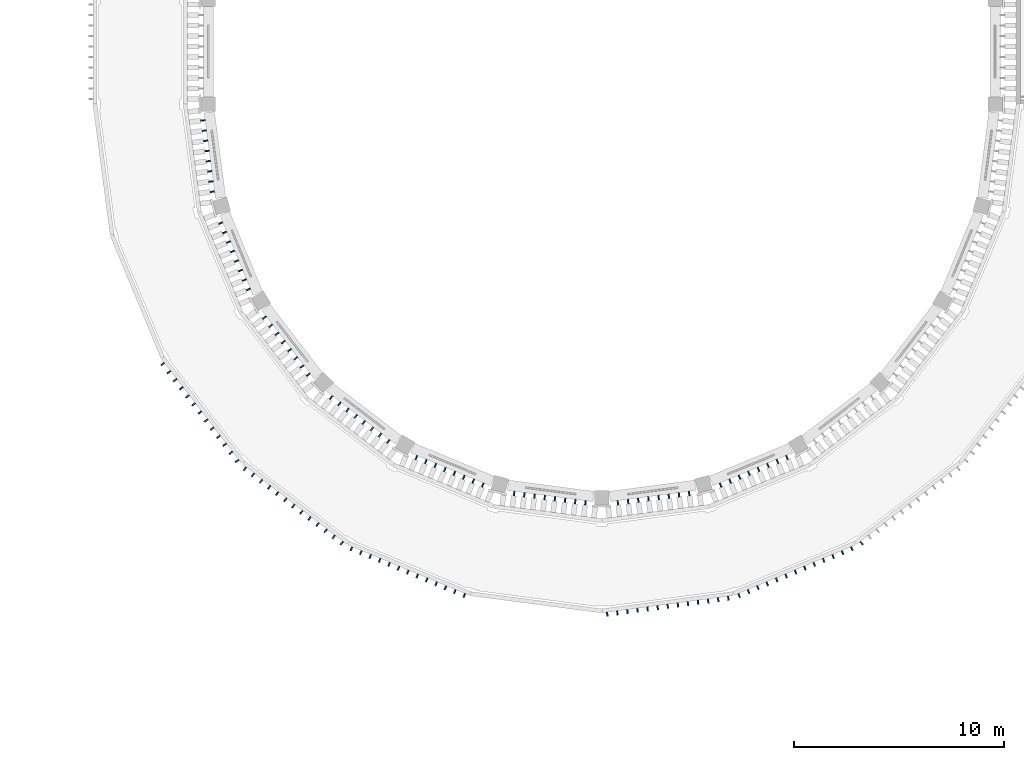
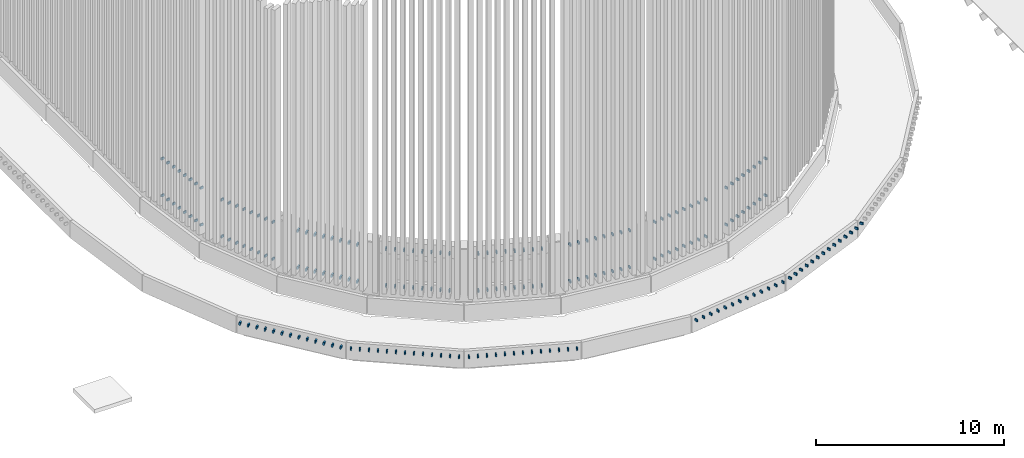
# One storey, part 35 of 68: 194 discrete accessories.
"""IFC4 building model written with IfcOpenShell, lengths in metres."""

import ifcopenshell
import ifcopenshell.guid

model = None  # the IFC model being written
_history = None  # IfcOwnerHistory: only IFC2X3 demands one
_inside = {}  # id of a spatial element -> (the spatial element, [elements in it])
_under = {}  # id of a project, library or spatial element -> (it, [spatial elements below it])
_declared = {}  # id of a project -> (the project, [libraries it declares])
_typed = {}  # id of a type object -> (the type object, [elements of that type])
_made_of = {}  # id of a material, layer set ... -> (it, [elements and type objects made of it])


def new_model(schema):
    """Start an empty IFC model of exactly this schema.

    Asked for "IFC4X3", IfcOpenShell would pick the latest addendum, in which some entities
    have other attributes; the version numbers below select the first issue.
    IFC2X3 requires an IfcOwnerHistory on every rooted entity: one is made here for all.
    """
    global model, _history
    if schema == "IFC4X3":
        model = ifcopenshell.file(schema_version=(4, 3, 0, 0))
    else:
        model = ifcopenshell.file(schema=schema)
    _inside.clear()
    _under.clear()
    _declared.clear()
    _typed.clear()
    _made_of.clear()
    _history = None
    if model.schema == "IFC2X3":
        org = make("IfcOrganization", Name="unknown")
        user = make(
            "IfcPersonAndOrganization",
            ThePerson=make("IfcPerson", FamilyName="unknown"),
            TheOrganization=org,
        )
        app = make(
            "IfcApplication",
            ApplicationDeveloper=org,
            Version="unknown",
            ApplicationFullName="unknown",
            ApplicationIdentifier="unknown",
        )
        _history = make(
            "IfcOwnerHistory",
            OwningUser=user,
            OwningApplication=app,
            ChangeAction="ADDED",
            CreationDate=0,
        )
    return model


def make(cls, **values):
    """One entity of the class cls with the attributes given. An attribute that is None is left unset."""
    return model.create_entity(
        cls, **{name: value for name, value in values.items() if value is not None}
    )


def rooted(cls, **values):
    """An entity with a GlobalId (a new one), such as an element, a storey or a relation."""
    return make(cls, GlobalId=ifcopenshell.guid.new(), OwnerHistory=_history, **values)


def si_unit(unit_type, name, prefix=None):
    """IfcSIUnit, for example si_unit("LENGTHUNIT", "METRE", prefix="MILLI")."""
    return make("IfcSIUnit", UnitType=unit_type, Prefix=prefix, Name=name)


def assignment(units):
    """IfcUnitAssignment: the units of a project."""
    return None if units is None else make("IfcUnitAssignment", Units=units)


def point(xyz):
    """IfcCartesianPoint."""
    return None if xyz is None else make("IfcCartesianPoint", Coordinates=xyz)


def direction(xyz):
    """IfcDirection."""
    return None if xyz is None else make("IfcDirection", DirectionRatios=xyz)


def frame(location, z_axis=None, x_axis=None):
    """IfcAxis2Placement3D, a coordinate frame: its origin and axes. An axis left out is left unset."""
    return make(
        "IfcAxis2Placement3D",
        Location=point(location),
        Axis=direction(z_axis),
        RefDirection=direction(x_axis),
    )


def frame_2d(location, x_axis=None):
    """IfcAxis2Placement2D, a coordinate frame in the plane: its origin and x axis."""
    return make(
        "IfcAxis2Placement2D", Location=point(location), RefDirection=direction(x_axis)
    )


def origin():
    """The frame at (0, 0, 0) with its axes left unset."""
    return frame((0.0, 0.0, 0.0))


def origin_2d():
    """The frame at (0, 0) in the plane with its x axis left unset."""
    return frame_2d((0.0, 0.0))


def place(relative_to, where):
    """IfcLocalPlacement: puts the frame where relative to a parent placement (None: the world)."""
    return make(
        "IfcLocalPlacement", PlacementRelTo=relative_to, RelativePlacement=where
    )


def context(
    kind, dimensions, precision=None, world=None, true_north=None, identifier=None
):
    """IfcGeometricRepresentationContext, for example the 3D "Model" context."""
    return make(
        "IfcGeometricRepresentationContext",
        ContextIdentifier=identifier,
        ContextType=kind,
        CoordinateSpaceDimension=dimensions,
        Precision=precision,
        WorldCoordinateSystem=world,
        TrueNorth=true_north,
    )


def subcontext(parent, identifier, kind, view, scale=None):
    """IfcGeometricRepresentationSubContext, for example "Body" below "Model"."""
    return make(
        "IfcGeometricRepresentationSubContext",
        ContextIdentifier=identifier,
        ContextType=kind,
        ParentContext=parent,
        TargetScale=scale,
        TargetView=view,
    )


def project(units=None, contexts=None):
    """IfcProject with its units and contexts."""
    return rooted(
        "IfcProject",
        Name="project",
        RepresentationContexts=contexts,
        UnitsInContext=assignment(units),
    )


def spatial(cls, under=None, at=None, **own):
    """A site, building, storey or space (cls), placed at a placement, below another one or the project."""
    s = rooted(cls, ObjectPlacement=at, **own)
    if under is not None:
        _under.setdefault(under.id(), (under, []))[1].append(s)
    return s


def profile(cls, at=None, kind="AREA", **sizes):
    """A parametric profile (cls). Its sizes go by their IFC names, for example OverallWidth=200.0."""
    return make(cls, ProfileType=kind, Position=at, **sizes)


def rectangle(**sizes):
    """IfcRectangleProfileDef."""
    return profile("IfcRectangleProfileDef", **sizes)


def extrude(swept, where, along, depth):
    """IfcExtrudedAreaSolid: the profile swept, set in the frame where, extruded along a direction by depth."""
    return make(
        "IfcExtrudedAreaSolid",
        SweptArea=swept,
        Position=where,
        ExtrudedDirection=direction(along),
        Depth=depth,
    )


def shape(context_of_items, identifier, shape_type, items):
    """IfcShapeRepresentation: the items that make up one representation, for example the "Body"."""
    return make(
        "IfcShapeRepresentation",
        ContextOfItems=context_of_items,
        RepresentationIdentifier=identifier,
        RepresentationType=shape_type,
        Items=items,
    )


def material(Name=None, Category=None):
    """IfcMaterial."""
    return make("IfcMaterial", Name=Name, Category=Category)


def made_of(thing, what):
    """Note that an element or type object is made of a material, layer set ...; save() writes the relation."""
    if what is not None:
        _made_of.setdefault(what.id(), (what, []))[1].append(thing)
    return thing


def type_object(cls, material=None, **own):
    """A type object (cls), such as IfcWallType, which elements share."""
    return made_of(rooted(cls, **own), material)


def element(
    cls,
    number,
    at=None,
    inside=None,
    cuts=None,
    type_object=None,
    material=None,
    context=None,
    identifier="Body",
    shape_type=None,
    held_by="IfcProductDefinitionShape",
    body=None,
    shapes=None,
    **own,
):
    """One element of the class cls, such as IfcWall. Its Tag is "e" and its number.

    at: its placement. inside: the storey or other place that contains it. cuts: it is an
    opening in that element (IfcRelVoidsElement). A single representation is given by context,
    identifier, shape_type and body (its items); several are given by shapes. held_by: the class
    of the entity that holds the representations. save() writes the other relations.
    """
    e = rooted(cls, Tag="e%d" % number, ObjectPlacement=at, **own)
    if body is not None:
        shapes = [shape(context, identifier, shape_type, body)]
    if shapes is not None:
        e.Representation = make(held_by, Representations=shapes)
    if inside is not None:
        _inside.setdefault(inside.id(), (inside, []))[1].append(e)
    if cuts is not None:
        rooted(
            "IfcRelVoidsElement", RelatingBuildingElement=cuts, RelatedOpeningElement=e
        )
    if type_object is not None:
        _typed.setdefault(type_object.id(), (type_object, []))[1].append(e)
    return made_of(e, material)


def aggregate(whole, parts):
    """IfcRelAggregates: a whole, such as a stair, and the parts it consists of."""
    return rooted("IfcRelAggregates", RelatingObject=whole, RelatedObjects=parts)


def save(model, path):
    """Write the relations noted so far, then the file.

    IfcRelAggregates (storeys below a building ...), IfcRelContainedInSpatialStructure (elements
    in a storey), IfcRelDefinesByType, IfcRelAssociatesMaterial and IfcRelDeclares: one each for
    every whole, place, type object, material and project.
    """
    for whole, parts in _under.values():
        aggregate(whole, parts)
    for where, things in _inside.values():
        rooted(
            "IfcRelContainedInSpatialStructure",
            RelatedElements=things,
            RelatingStructure=where,
        )
    for kind, things in _typed.values():
        rooted("IfcRelDefinesByType", RelatedObjects=things, RelatingType=kind)
    for what, things in _made_of.values():
        rooted("IfcRelAssociatesMaterial", RelatedObjects=things, RelatingMaterial=what)
    for by, libraries in _declared.values():
        rooted("IfcRelDeclares", RelatingContext=by, RelatedDefinitions=libraries)
    model.write(path)


model = new_model("IFC4")

# Units and contexts
model_context = context("Model", 3, precision=1e-05, world=origin(), true_north=direction((0.0, 1.0)))
body_context = subcontext(model_context, "Body", "Model", "MODEL_VIEW")
ifc_project = project(units=[si_unit("LENGTHUNIT", "METRE"), si_unit("AREAUNIT", "SQUARE_METRE"), si_unit("VOLUMEUNIT", "CUBIC_METRE"), si_unit("PLANEANGLEUNIT", "RADIAN"), si_unit("MASSUNIT", "GRAM", prefix="KILO")], contexts=[model_context])

# Site, building, storey
site_placement = place(None, origin())
site = spatial("IfcSite", under=ifc_project, at=site_placement, CompositionType="ELEMENT")
building_placement = place(site_placement, origin())
building = spatial("IfcBuilding", under=site, at=building_placement, Name="Wasatch Bagh Community Centre", CompositionType="ELEMENT")
storey_placement = place(building_placement, frame((0.0, 0.0, 8.39990234375)))
storey = spatial("IfcBuildingStorey", under=building, at=storey_placement, Name="L02", CompositionType="ELEMENT", Elevation=8.39990234375)

# Discrete accessories
ifc_material = material(Name="ASTM A36 steel", Category="steel")
discrete_accessory_type_1 = type_object("IfcDiscreteAccessoryType", Name="Drum fin bracket", PredefinedType="BRACKET", material=ifc_material)
for number, where, z_axis, x_axis, name in (
    (1, (15.076416015625, 22.6123046875, 0.72509765625), (0.0, 0.0, 1.0), (0.608761429009, -0.793353340291, 0.0), "Fin bracket 3.1.3"),
    (2, (15.37158203125, 22.2275390625, 0.72509765625), (0.0, 0.0, 1.0), (0.608761429009, -0.793353340291, 0.0), "Fin bracket 3.2.3"),
    (3, (15.666748046875, 21.843017578125, 0.72509765625), (0.0, 0.0, 1.0), (0.608761429009, -0.793353340291, 0.0), "Fin bracket 3.3.3"),
    (4, (15.962158203125, 21.458251953125, 0.72509765625), (0.0, 0.0, 1.0), (0.608761429009, -0.793353340291, 0.0), "Fin bracket 3.4.3"),
    (5, (16.25732421875, 21.073486328125, 0.72509765625), (0.0, 0.0, 1.0), (0.608761429009, -0.793353340291, 0.0), "Fin bracket 3.5.3"),
    (6, (16.552490234375, 20.688720703125, 0.72509765625), (0.0, 0.0, 1.0), (0.608761429009, -0.793353340291, 0.0), "Fin bracket 3.6.3"),
    (7, (16.84765625, 20.303955078125, 0.72509765625), (0.0, 0.0, 1.0), (0.608761429009, -0.793353340291, 0.0), "Fin bracket 3.7.3"),
    (8, (17.14306640625, 19.919189453125, 0.72509765625), (0.0, 0.0, 1.0), (0.608761429009, -0.793353340291, 0.0), "Fin bracket 3.8.3"),
    (9, (17.438232421875, 19.534423828125, 0.72509765625), (0.0, 0.0, 1.0), (0.608761429009, -0.793353340291, 0.0), "Fin bracket 3.9.3"),
    (10, (17.7333984375, 19.149658203125, 0.72509765625), (0.0, 0.0, 1.0), (0.608761429009, -0.793353340291, 0.0), "Fin bracket 3.10.3"),
    (11, (18.028564453125, 18.764892578125, 0.72509765625), (0.0, 0.0, 1.0), (0.608761429009, -0.793353340291, 0.0), "Fin bracket 3.11.3"),
    (12, (18.32373046875, 18.38037109375, 0.72509765625), (0.0, 0.0, 1.0), (0.608761429009, -0.793353340291, 0.0), "Fin bracket 3.12.3"),
    (13, (18.619140625, 17.99560546875, 0.72509765625), (0.0, 0.0, 1.0), (0.608761429009, -0.793353340291, 0.0), "Fin bracket 3.13.3"),
    (14, (18.99560546875, 17.619140625, 0.72509765625), (0.0, 0.0, 1.0), (0.793353340291, -0.608761429009, 0.0), "Fin bracket 4.1.3"),
    (15, (19.38037109375, 17.32373046875, 0.72509765625), (0.0, 0.0, 1.0), (0.793353340291, -0.608761429009, 0.0), "Fin bracket 4.2.3"),
    (16, (19.764892578125, 17.028564453125, 0.72509765625), (0.0, 0.0, 1.0), (0.793353340291, -0.608761429009, 0.0), "Fin bracket 4.3.3"),
    (17, (20.149658203125, 16.7333984375, 0.72509765625), (0.0, 0.0, 1.0), (0.793353340291, -0.608761429009, 0.0), "Fin bracket 4.4.3"),
    (18, (20.534423828125, 16.438232421875, 0.72509765625), (0.0, 0.0, 1.0), (0.793353340291, -0.608761429009, 0.0), "Fin bracket 4.5.3"),
    (19, (20.919189453125, 16.14306640625, 0.72509765625), (0.0, 0.0, 1.0), (0.793353340291, -0.608761429009, 0.0), "Fin bracket 4.6.3"),
    (20, (21.303955078125, 15.84765625, 0.72509765625), (0.0, 0.0, 1.0), (0.793353340291, -0.608761429009, 0.0), "Fin bracket 4.7.3"),
    (21, (21.688720703125, 15.552490234375, 0.72509765625), (0.0, 0.0, 1.0), (0.793353340291, -0.608761429009, 0.0), "Fin bracket 4.8.3"),
    (22, (22.073486328125, 15.25732421875, 0.72509765625), (0.0, 0.0, 1.0), (0.793353340291, -0.608761429009, 0.0), "Fin bracket 4.9.3"),
    (23, (22.458251953125, 14.962158203125, 0.72509765625), (0.0, 0.0, 1.0), (0.793353340291, -0.608761429009, 0.0), "Fin bracket 4.10.3"),
    (24, (22.843017578125, 14.666748046875, 0.72509765625), (0.0, 0.0, 1.0), (0.793353340291, -0.608761429009, 0.0), "Fin bracket 4.11.3"),
    (25, (23.2275390625, 14.37158203125, 0.72509765625), (0.0, 0.0, 1.0), (0.793353340291, -0.608761429009, 0.0), "Fin bracket 4.12.3"),
    (26, (23.6123046875, 14.076416015625, 0.72509765625), (0.0, 0.0, 1.0), (0.793353340291, -0.608761429009, 0.0), "Fin bracket 4.13.3"),
    (27, (24.073486328125, 13.810302734375, 0.72509765625), (0.0, 0.0, 1.0), (0.923879532511, -0.382683432365, 0.0), "Fin bracket 5.1.3"),
    (28, (24.521484375, 13.624755859375, 0.72509765625), (0.0, 0.0, 1.0), (0.923879532511, -0.382683432365, 0.0), "Fin bracket 5.2.3"),
    (29, (24.969482421875, 13.43896484375, 0.72509765625), (0.0, 0.0, 1.0), (0.923879532511, -0.382683432365, 0.0), "Fin bracket 5.3.3"),
    (30, (25.41748046875, 13.25341796875, 0.72509765625), (0.0, 0.0, 1.0), (0.923879532511, -0.382683432365, 0.0), "Fin bracket 5.4.3"),
    (31, (25.865478515625, 13.06787109375, 0.72509765625), (0.0, 0.0, 1.0), (0.923879532511, -0.382683432365, 0.0), "Fin bracket 5.5.3"),
    (32, (26.313720703125, 12.88232421875, 0.72509765625), (0.0, 0.0, 1.0), (0.923879532511, -0.382683432365, 0.0), "Fin bracket 5.6.3"),
    (33, (26.76171875, 12.69677734375, 0.72509765625), (0.0, 0.0, 1.0), (0.923879532511, -0.382683432365, 0.0), "Fin bracket 5.7.3"),
    (34, (27.209716796875, 12.51123046875, 0.72509765625), (0.0, 0.0, 1.0), (0.923879532511, -0.382683432365, 0.0), "Fin bracket 5.8.3"),
    (35, (27.65771484375, 12.325439453125, 0.72509765625), (0.0, 0.0, 1.0), (0.923879532511, -0.382683432365, 0.0), "Fin bracket 5.9.3"),
    (36, (28.105712890625, 12.139892578125, 0.72509765625), (0.0, 0.0, 1.0), (0.923879532511, -0.382683432365, 0.0), "Fin bracket 5.10.3"),
    (37, (28.553955078125, 11.954345703125, 0.72509765625), (0.0, 0.0, 1.0), (0.923879532511, -0.382683432365, 0.0), "Fin bracket 5.11.3"),
    (38, (29.001953125, 11.768798828125, 0.72509765625), (0.0, 0.0, 1.0), (0.923879532511, -0.382683432365, 0.0), "Fin bracket 5.12.3"),
    (39, (29.449951171875, 11.583251953125, 0.72509765625), (0.0, 0.0, 1.0), (0.923879532511, -0.382683432365, 0.0), "Fin bracket 5.13.3"),
    (40, (36.26611328125, 10.685791015625, 0.72509765625), (0.0, 0.0, 1.0), (0.991444861374, 0.13052619222, 0.0), "Fin bracket 7.1.3"),
    (41, (36.7470703125, 10.7490234375, 0.72509765625), (0.0, 0.0, 1.0), (0.991444861374, 0.13052619222, 0.0), "Fin bracket 7.2.3"),
    (42, (37.227783203125, 10.8125, 0.72509765625), (0.0, 0.0, 1.0), (0.991444861374, 0.13052619222, 0.0), "Fin bracket 7.3.3"),
    (43, (37.70849609375, 10.875732421875, 0.72509765625), (0.0, 0.0, 1.0), (0.991444861374, 0.13052619222, 0.0), "Fin bracket 7.4.3"),
    (44, (38.189453125, 10.93896484375, 0.72509765625), (0.0, 0.0, 1.0), (0.991444861374, 0.13052619222, 0.0), "Fin bracket 7.5.3"),
    (45, (38.670166015625, 11.00244140625, 0.72509765625), (0.0, 0.0, 1.0), (0.991444861374, 0.13052619222, 0.0), "Fin bracket 7.6.3"),
    (46, (39.151123046875, 11.065673828125, 0.72509765625), (0.0, 0.0, 1.0), (0.991444861374, 0.13052619222, 0.0), "Fin bracket 7.7.3"),
    (47, (39.6318359375, 11.12890625, 0.72509765625), (0.0, 0.0, 1.0), (0.991444861374, 0.13052619222, 0.0), "Fin bracket 7.8.3"),
    (48, (40.112548828125, 11.192138671875, 0.72509765625), (0.0, 0.0, 1.0), (0.991444861374, 0.13052619222, 0.0), "Fin bracket 7.9.3"),
    (49, (40.593505859375, 11.255615234375, 0.72509765625), (0.0, 0.0, 1.0), (0.991444861374, 0.13052619222, 0.0), "Fin bracket 7.10.3"),
    (50, (41.07421875, 11.31884765625, 0.72509765625), (0.0, 0.0, 1.0), (0.991444861374, 0.13052619222, 0.0), "Fin bracket 7.11.3"),
    (51, (41.554931640625, 11.382080078125, 0.72509765625), (0.0, 0.0, 1.0), (0.991444861374, 0.13052619222, 0.0), "Fin bracket 7.12.3"),
    (52, (42.035888671875, 11.4453125, 0.72509765625), (0.0, 0.0, 1.0), (0.991444861374, 0.13052619222, 0.0), "Fin bracket 7.13.3"),
    (53, (42.550048828125, 11.583251953125, 0.72509765625), (0.0, 0.0, 1.0), (0.923879532511, 0.382683432365, 0.0), "Fin bracket 8.1.3"),
    (54, (42.998046875, 11.768798828125, 0.72509765625), (0.0, 0.0, 1.0), (0.923879532511, 0.382683432365, 0.0), "Fin bracket 8.2.3"),
    (55, (43.446044921875, 11.954345703125, 0.72509765625), (0.0, 0.0, 1.0), (0.923879532511, 0.382683432365, 0.0), "Fin bracket 8.3.3"),
    (56, (43.894287109375, 12.139892578125, 0.72509765625), (0.0, 0.0, 1.0), (0.923879532511, 0.382683432365, 0.0), "Fin bracket 8.4.3"),
    (57, (44.34228515625, 12.325439453125, 0.72509765625), (0.0, 0.0, 1.0), (0.923879532511, 0.382683432365, 0.0), "Fin bracket 8.5.3"),
    (58, (44.790283203125, 12.51123046875, 0.72509765625), (0.0, 0.0, 1.0), (0.923879532511, 0.382683432365, 0.0), "Fin bracket 8.6.3"),
    (59, (45.23828125, 12.69677734375, 0.72509765625), (0.0, 0.0, 1.0), (0.923879532511, 0.382683432365, 0.0), "Fin bracket 8.7.3"),
    (60, (45.686279296875, 12.88232421875, 0.72509765625), (0.0, 0.0, 1.0), (0.923879532511, 0.382683432365, 0.0), "Fin bracket 8.8.3"),
    (61, (46.134521484375, 13.06787109375, 0.72509765625), (0.0, 0.0, 1.0), (0.923879532511, 0.382683432365, 0.0), "Fin bracket 8.9.3"),
    (62, (46.58251953125, 13.25341796875, 0.72509765625), (0.0, 0.0, 1.0), (0.923879532511, 0.382683432365, 0.0), "Fin bracket 8.10.3"),
    (63, (47.030517578125, 13.43896484375, 0.72509765625), (0.0, 0.0, 1.0), (0.923879532511, 0.382683432365, 0.0), "Fin bracket 8.11.3"),
    (64, (47.478515625, 13.624755859375, 0.72509765625), (0.0, 0.0, 1.0), (0.923879532511, 0.382683432365, 0.0), "Fin bracket 8.12.3"),
    (65, (47.926513671875, 13.810302734375, 0.72509765625), (0.0, 0.0, 1.0), (0.923879532511, 0.382683432365, 0.0), "Fin bracket 8.13.3"),
    (66, (48.3876953125, 14.076416015625, 0.72509765625), (0.0, 0.0, 1.0), (0.793353340291, 0.608761429009, 0.0), "Fin bracket 9.1.3"),
):
    element("IfcDiscreteAccessory", number, at=place(storey_placement, frame(where, z_axis=z_axis, x_axis=x_axis)), inside=storey, type_object=discrete_accessory_type_1, Name=name, PredefinedType="BRACKET", context=body_context, shape_type="SweptSolid", body=[
        extrude(rectangle(XDim=0.070068359375, YDim=0.195068359375, at=origin_2d()), origin(), (0.0, 0.0, 1.0), 0.14990234375),
    ])
discrete_accessory_type_2 = type_object("IfcDiscreteAccessoryType", Name="MH fin bracket", PredefinedType="BRACKET", material=ifc_material)
for number, where, z_axis, x_axis, name in (
    (67, (16.998779296875, 34.226318359375, 1.3251953125), (0.0, 0.0, 1.0), (0.13052619222, -0.991444861374, 0.0), "Fin bracket 1.2.1"),
    (68, (16.998779296875, 34.226318359375, 3.72509765625), (0.0, 0.0, 1.0), (0.13052619222, -0.991444861374, 0.0), "Fin bracket 1.2.2"),
    (69, (17.062744140625, 33.7412109375, 1.3251953125), (0.0, 0.0, 1.0), (0.13052619222, -0.991444861374, 0.0), "Fin bracket 1.3.1"),
    (70, (17.062744140625, 33.7412109375, 3.72509765625), (0.0, 0.0, 1.0), (0.13052619222, -0.991444861374, 0.0), "Fin bracket 1.3.2"),
    (71, (17.126708984375, 33.255859375, 1.3251953125), (0.0, 0.0, 1.0), (0.13052619222, -0.991444861374, 0.0), "Fin bracket 1.4.1"),
    (72, (17.126708984375, 33.255859375, 3.72509765625), (0.0, 0.0, 1.0), (0.13052619222, -0.991444861374, 0.0), "Fin bracket 1.4.2"),
    (73, (17.1904296875, 32.7705078125, 1.3251953125), (0.0, 0.0, 1.0), (0.13052619222, -0.991444861374, 0.0), "Fin bracket 1.5.1"),
    (74, (17.1904296875, 32.7705078125, 3.72509765625), (0.0, 0.0, 1.0), (0.13052619222, -0.991444861374, 0.0), "Fin bracket 1.5.2"),
    (75, (17.25439453125, 32.28515625, 1.3251953125), (0.0, 0.0, 1.0), (0.13052619222, -0.991444861374, 0.0), "Fin bracket 1.6.1"),
    (76, (17.25439453125, 32.28515625, 3.72509765625), (0.0, 0.0, 1.0), (0.13052619222, -0.991444861374, 0.0), "Fin bracket 1.6.2"),
    (77, (17.318359375, 31.800048828125, 1.3251953125), (0.0, 0.0, 1.0), (0.13052619222, -0.991444861374, 0.0), "Fin bracket 1.7.1"),
    (78, (17.318359375, 31.800048828125, 3.72509765625), (0.0, 0.0, 1.0), (0.13052619222, -0.991444861374, 0.0), "Fin bracket 1.7.2"),
    (79, (17.382080078125, 31.314697265625, 1.3251953125), (0.0, 0.0, 1.0), (0.13052619222, -0.991444861374, 0.0), "Fin bracket 1.8.1"),
    (80, (17.382080078125, 31.314697265625, 3.72509765625), (0.0, 0.0, 1.0), (0.13052619222, -0.991444861374, 0.0), "Fin bracket 1.8.2"),
    (81, (17.446044921875, 30.829345703125, 1.3251953125), (0.0, 0.0, 1.0), (0.13052619222, -0.991444861374, 0.0), "Fin bracket 1.9.1"),
    (82, (17.446044921875, 30.829345703125, 3.72509765625), (0.0, 0.0, 1.0), (0.13052619222, -0.991444861374, 0.0), "Fin bracket 1.9.2"),
    (83, (17.846435546875, 29.3349609375, 1.3251953125), (0.0, 0.0, 1.0), (0.382683432365, -0.923879532511, 0.0), "Fin bracket 2.2.1"),
    (84, (17.846435546875, 29.3349609375, 3.72509765625), (0.0, 0.0, 1.0), (0.382683432365, -0.923879532511, 0.0), "Fin bracket 2.2.2"),
    (85, (18.033935546875, 28.882568359375, 1.3251953125), (0.0, 0.0, 1.0), (0.382683432365, -0.923879532511, 0.0), "Fin bracket 2.3.1"),
    (86, (18.033935546875, 28.882568359375, 3.72509765625), (0.0, 0.0, 1.0), (0.382683432365, -0.923879532511, 0.0), "Fin bracket 2.3.2"),
    (87, (18.22119140625, 28.430419921875, 1.3251953125), (0.0, 0.0, 1.0), (0.382683432365, -0.923879532511, 0.0), "Fin bracket 2.4.1"),
    (88, (18.22119140625, 28.430419921875, 3.72509765625), (0.0, 0.0, 1.0), (0.382683432365, -0.923879532511, 0.0), "Fin bracket 2.4.2"),
    (89, (18.408447265625, 27.978271484375, 1.3251953125), (0.0, 0.0, 1.0), (0.382683432365, -0.923879532511, 0.0), "Fin bracket 2.5.1"),
    (90, (18.408447265625, 27.978271484375, 3.72509765625), (0.0, 0.0, 1.0), (0.382683432365, -0.923879532511, 0.0), "Fin bracket 2.5.2"),
    (91, (18.595703125, 27.526123046875, 1.3251953125), (0.0, 0.0, 1.0), (0.382683432365, -0.923879532511, 0.0), "Fin bracket 2.6.1"),
    (92, (18.595703125, 27.526123046875, 3.72509765625), (0.0, 0.0, 1.0), (0.382683432365, -0.923879532511, 0.0), "Fin bracket 2.6.2"),
    (93, (18.782958984375, 27.07373046875, 1.3251953125), (0.0, 0.0, 1.0), (0.382683432365, -0.923879532511, 0.0), "Fin bracket 2.7.1"),
    (94, (18.782958984375, 27.07373046875, 3.72509765625), (0.0, 0.0, 1.0), (0.382683432365, -0.923879532511, 0.0), "Fin bracket 2.7.2"),
    (95, (18.970458984375, 26.62158203125, 1.3251953125), (0.0, 0.0, 1.0), (0.382683432365, -0.923879532511, 0.0), "Fin bracket 2.8.1"),
    (96, (18.970458984375, 26.62158203125, 3.72509765625), (0.0, 0.0, 1.0), (0.382683432365, -0.923879532511, 0.0), "Fin bracket 2.8.2"),
    (97, (19.15771484375, 26.16943359375, 1.3251953125), (0.0, 0.0, 1.0), (0.382683432365, -0.923879532511, 0.0), "Fin bracket 2.9.1"),
    (98, (19.15771484375, 26.16943359375, 3.72509765625), (0.0, 0.0, 1.0), (0.382683432365, -0.923879532511, 0.0), "Fin bracket 2.9.2"),
    (99, (19.931396484375, 24.829345703125, 1.3251953125), (0.0, 0.0, 1.0), (0.608761429009, -0.793353340291, 0.0), "Fin bracket 3.2.1"),
    (100, (19.931396484375, 24.829345703125, 3.72509765625), (0.0, 0.0, 1.0), (0.608761429009, -0.793353340291, 0.0), "Fin bracket 3.2.2"),
    (101, (20.229248046875, 24.441162109375, 1.3251953125), (0.0, 0.0, 1.0), (0.608761429009, -0.793353340291, 0.0), "Fin bracket 3.3.1"),
    (102, (20.229248046875, 24.441162109375, 3.72509765625), (0.0, 0.0, 1.0), (0.608761429009, -0.793353340291, 0.0), "Fin bracket 3.3.2"),
    (103, (20.52734375, 24.052734375, 1.3251953125), (0.0, 0.0, 1.0), (0.608761429009, -0.793353340291, 0.0), "Fin bracket 3.4.1"),
    (104, (20.52734375, 24.052734375, 3.72509765625), (0.0, 0.0, 1.0), (0.608761429009, -0.793353340291, 0.0), "Fin bracket 3.4.2"),
    (105, (20.8251953125, 23.66455078125, 1.3251953125), (0.0, 0.0, 1.0), (0.608761429009, -0.793353340291, 0.0), "Fin bracket 3.5.1"),
    (106, (20.8251953125, 23.66455078125, 3.72509765625), (0.0, 0.0, 1.0), (0.608761429009, -0.793353340291, 0.0), "Fin bracket 3.5.2"),
    (107, (21.123291015625, 23.276123046875, 1.3251953125), (0.0, 0.0, 1.0), (0.608761429009, -0.793353340291, 0.0), "Fin bracket 3.6.1"),
    (108, (21.123291015625, 23.276123046875, 3.72509765625), (0.0, 0.0, 1.0), (0.608761429009, -0.793353340291, 0.0), "Fin bracket 3.6.2"),
    (109, (21.421142578125, 22.887939453125, 1.3251953125), (0.0, 0.0, 1.0), (0.608761429009, -0.793353340291, 0.0), "Fin bracket 3.7.1"),
    (110, (21.421142578125, 22.887939453125, 3.72509765625), (0.0, 0.0, 1.0), (0.608761429009, -0.793353340291, 0.0), "Fin bracket 3.7.2"),
    (111, (21.71923828125, 22.49951171875, 1.3251953125), (0.0, 0.0, 1.0), (0.608761429009, -0.793353340291, 0.0), "Fin bracket 3.8.1"),
    (112, (21.71923828125, 22.49951171875, 3.72509765625), (0.0, 0.0, 1.0), (0.608761429009, -0.793353340291, 0.0), "Fin bracket 3.8.2"),
    (113, (22.01708984375, 22.111083984375, 1.3251953125), (0.0, 0.0, 1.0), (0.608761429009, -0.793353340291, 0.0), "Fin bracket 3.9.1"),
    (114, (22.01708984375, 22.111083984375, 3.72509765625), (0.0, 0.0, 1.0), (0.608761429009, -0.793353340291, 0.0), "Fin bracket 3.9.2"),
    (115, (23.111083984375, 21.01708984375, 1.3251953125), (0.0, 0.0, 1.0), (0.793353340291, -0.608761429009, 0.0), "Fin bracket 4.2.1"),
    (116, (23.111083984375, 21.01708984375, 3.72509765625), (0.0, 0.0, 1.0), (0.793353340291, -0.608761429009, 0.0), "Fin bracket 4.2.2"),
    (117, (23.49951171875, 20.71923828125, 1.3251953125), (0.0, 0.0, 1.0), (0.793353340291, -0.608761429009, 0.0), "Fin bracket 4.3.1"),
    (118, (23.49951171875, 20.71923828125, 3.72509765625), (0.0, 0.0, 1.0), (0.793353340291, -0.608761429009, 0.0), "Fin bracket 4.3.2"),
    (119, (23.887939453125, 20.421142578125, 1.3251953125), (0.0, 0.0, 1.0), (0.793353340291, -0.608761429009, 0.0), "Fin bracket 4.4.1"),
    (120, (23.887939453125, 20.421142578125, 3.72509765625), (0.0, 0.0, 1.0), (0.793353340291, -0.608761429009, 0.0), "Fin bracket 4.4.2"),
    (121, (24.276123046875, 20.123291015625, 1.3251953125), (0.0, 0.0, 1.0), (0.793353340291, -0.608761429009, 0.0), "Fin bracket 4.5.1"),
    (122, (24.276123046875, 20.123291015625, 3.72509765625), (0.0, 0.0, 1.0), (0.793353340291, -0.608761429009, 0.0), "Fin bracket 4.5.2"),
    (123, (24.66455078125, 19.8251953125, 1.3251953125), (0.0, 0.0, 1.0), (0.793353340291, -0.608761429009, 0.0), "Fin bracket 4.6.1"),
    (124, (24.66455078125, 19.8251953125, 3.72509765625), (0.0, 0.0, 1.0), (0.793353340291, -0.608761429009, 0.0), "Fin bracket 4.6.2"),
    (125, (25.052734375, 19.52734375, 1.3251953125), (0.0, 0.0, 1.0), (0.793353340291, -0.608761429009, 0.0), "Fin bracket 4.7.1"),
    (126, (25.052734375, 19.52734375, 3.72509765625), (0.0, 0.0, 1.0), (0.793353340291, -0.608761429009, 0.0), "Fin bracket 4.7.2"),
    (127, (25.441162109375, 19.229248046875, 1.3251953125), (0.0, 0.0, 1.0), (0.793353340291, -0.608761429009, 0.0), "Fin bracket 4.8.1"),
    (128, (25.441162109375, 19.229248046875, 3.72509765625), (0.0, 0.0, 1.0), (0.793353340291, -0.608761429009, 0.0), "Fin bracket 4.8.2"),
    (129, (25.829345703125, 18.931396484375, 1.3251953125), (0.0, 0.0, 1.0), (0.793353340291, -0.608761429009, 0.0), "Fin bracket 4.9.1"),
    (130, (25.829345703125, 18.931396484375, 3.72509765625), (0.0, 0.0, 1.0), (0.793353340291, -0.608761429009, 0.0), "Fin bracket 4.9.2"),
    (131, (27.16943359375, 18.15771484375, 1.3251953125), (0.0, 0.0, 1.0), (0.923879532511, -0.382683432365, 0.0), "Fin bracket 5.2.1"),
    (132, (27.16943359375, 18.15771484375, 3.72509765625), (0.0, 0.0, 1.0), (0.923879532511, -0.382683432365, 0.0), "Fin bracket 5.2.2"),
    (133, (27.62158203125, 17.970458984375, 1.3251953125), (0.0, 0.0, 1.0), (0.923879532511, -0.382683432365, 0.0), "Fin bracket 5.3.1"),
    (134, (27.62158203125, 17.970458984375, 3.72509765625), (0.0, 0.0, 1.0), (0.923879532511, -0.382683432365, 0.0), "Fin bracket 5.3.2"),
    (135, (28.07373046875, 17.782958984375, 1.3251953125), (0.0, 0.0, 1.0), (0.923879532511, -0.382683432365, 0.0), "Fin bracket 5.4.1"),
    (136, (28.07373046875, 17.782958984375, 3.72509765625), (0.0, 0.0, 1.0), (0.923879532511, -0.382683432365, 0.0), "Fin bracket 5.4.2"),
    (137, (28.526123046875, 17.595703125, 1.3251953125), (0.0, 0.0, 1.0), (0.923879532511, -0.382683432365, 0.0), "Fin bracket 5.5.1"),
    (138, (28.526123046875, 17.595703125, 3.72509765625), (0.0, 0.0, 1.0), (0.923879532511, -0.382683432365, 0.0), "Fin bracket 5.5.2"),
    (139, (28.978271484375, 17.408447265625, 1.3251953125), (0.0, 0.0, 1.0), (0.923879532511, -0.382683432365, 0.0), "Fin bracket 5.6.1"),
    (140, (28.978271484375, 17.408447265625, 3.72509765625), (0.0, 0.0, 1.0), (0.923879532511, -0.382683432365, 0.0), "Fin bracket 5.6.2"),
    (141, (29.430419921875, 17.22119140625, 1.3251953125), (0.0, 0.0, 1.0), (0.923879532511, -0.382683432365, 0.0), "Fin bracket 5.7.1"),
    (142, (29.430419921875, 17.22119140625, 3.72509765625), (0.0, 0.0, 1.0), (0.923879532511, -0.382683432365, 0.0), "Fin bracket 5.7.2"),
    (143, (29.882568359375, 17.033935546875, 1.3251953125), (0.0, 0.0, 1.0), (0.923879532511, -0.382683432365, 0.0), "Fin bracket 5.8.1"),
    (144, (29.882568359375, 17.033935546875, 3.72509765625), (0.0, 0.0, 1.0), (0.923879532511, -0.382683432365, 0.0), "Fin bracket 5.8.2"),
    (145, (30.3349609375, 16.846435546875, 1.3251953125), (0.0, 0.0, 1.0), (0.923879532511, -0.382683432365, 0.0), "Fin bracket 5.9.1"),
    (146, (30.3349609375, 16.846435546875, 3.72509765625), (0.0, 0.0, 1.0), (0.923879532511, -0.382683432365, 0.0), "Fin bracket 5.9.2"),
    (147, (31.829345703125, 16.446044921875, 1.3251953125), (0.0, 0.0, 1.0), (0.991444861374, -0.13052619222, 0.0), "Fin bracket 6.2.1"),
    (148, (31.829345703125, 16.446044921875, 3.72509765625), (0.0, 0.0, 1.0), (0.991444861374, -0.13052619222, 0.0), "Fin bracket 6.2.2"),
    (149, (32.314697265625, 16.382080078125, 1.3251953125), (0.0, 0.0, 1.0), (0.991444861374, -0.13052619222, 0.0), "Fin bracket 6.3.1"),
    (150, (32.314697265625, 16.382080078125, 3.72509765625), (0.0, 0.0, 1.0), (0.991444861374, -0.13052619222, 0.0), "Fin bracket 6.3.2"),
    (151, (32.800048828125, 16.318359375, 1.3251953125), (0.0, 0.0, 1.0), (0.991444861374, -0.13052619222, 0.0), "Fin bracket 6.4.1"),
    (152, (32.800048828125, 16.318359375, 3.72509765625), (0.0, 0.0, 1.0), (0.991444861374, -0.13052619222, 0.0), "Fin bracket 6.4.2"),
    (153, (33.28515625, 16.25439453125, 1.3251953125), (0.0, 0.0, 1.0), (0.991444861374, -0.13052619222, 0.0), "Fin bracket 6.5.1"),
    (154, (33.28515625, 16.25439453125, 3.72509765625), (0.0, 0.0, 1.0), (0.991444861374, -0.13052619222, 0.0), "Fin bracket 6.5.2"),
    (155, (33.7705078125, 16.1904296875, 1.3251953125), (0.0, 0.0, 1.0), (0.991444861374, -0.13052619222, 0.0), "Fin bracket 6.6.1"),
    (156, (33.7705078125, 16.1904296875, 3.72509765625), (0.0, 0.0, 1.0), (0.991444861374, -0.13052619222, 0.0), "Fin bracket 6.6.2"),
    (157, (34.255859375, 16.126708984375, 1.3251953125), (0.0, 0.0, 1.0), (0.991444861374, -0.13052619222, 0.0), "Fin bracket 6.7.1"),
    (158, (34.255859375, 16.126708984375, 3.72509765625), (0.0, 0.0, 1.0), (0.991444861374, -0.13052619222, 0.0), "Fin bracket 6.7.2"),
    (159, (34.7412109375, 16.062744140625, 1.3251953125), (0.0, 0.0, 1.0), (0.991444861374, -0.13052619222, 0.0), "Fin bracket 6.8.1"),
    (160, (34.7412109375, 16.062744140625, 3.72509765625), (0.0, 0.0, 1.0), (0.991444861374, -0.13052619222, 0.0), "Fin bracket 6.8.2"),
    (161, (35.226318359375, 15.998779296875, 1.3251953125), (0.0, 0.0, 1.0), (0.991444861374, -0.13052619222, 0.0), "Fin bracket 6.9.1"),
    (162, (35.226318359375, 15.998779296875, 3.72509765625), (0.0, 0.0, 1.0), (0.991444861374, -0.13052619222, 0.0), "Fin bracket 6.9.2"),
    (163, (36.773681640625, 15.998779296875, 1.3251953125), (0.0, 0.0, 1.0), (0.991444861374, 0.13052619222, 0.0), "Fin bracket 7.2.1"),
    (164, (36.773681640625, 15.998779296875, 3.72509765625), (0.0, 0.0, 1.0), (0.991444861374, 0.13052619222, 0.0), "Fin bracket 7.2.2"),
    (165, (37.2587890625, 16.062744140625, 1.3251953125), (0.0, 0.0, 1.0), (0.991444861374, 0.13052619222, 0.0), "Fin bracket 7.3.1"),
    (166, (37.2587890625, 16.062744140625, 3.72509765625), (0.0, 0.0, 1.0), (0.991444861374, 0.13052619222, 0.0), "Fin bracket 7.3.2"),
    (167, (37.744140625, 16.126708984375, 1.3251953125), (0.0, 0.0, 1.0), (0.991444861374, 0.13052619222, 0.0), "Fin bracket 7.4.1"),
    (168, (37.744140625, 16.126708984375, 3.72509765625), (0.0, 0.0, 1.0), (0.991444861374, 0.13052619222, 0.0), "Fin bracket 7.4.2"),
    (169, (38.2294921875, 16.1904296875, 1.3251953125), (0.0, 0.0, 1.0), (0.991444861374, 0.13052619222, 0.0), "Fin bracket 7.5.1"),
    (170, (38.2294921875, 16.1904296875, 3.72509765625), (0.0, 0.0, 1.0), (0.991444861374, 0.13052619222, 0.0), "Fin bracket 7.5.2"),
    (171, (38.71484375, 16.25439453125, 1.3251953125), (0.0, 0.0, 1.0), (0.991444861374, 0.13052619222, 0.0), "Fin bracket 7.6.1"),
    (172, (38.71484375, 16.25439453125, 3.72509765625), (0.0, 0.0, 1.0), (0.991444861374, 0.13052619222, 0.0), "Fin bracket 7.6.2"),
    (173, (39.199951171875, 16.318359375, 1.3251953125), (0.0, 0.0, 1.0), (0.991444861374, 0.13052619222, 0.0), "Fin bracket 7.7.1"),
    (174, (39.199951171875, 16.318359375, 3.72509765625), (0.0, 0.0, 1.0), (0.991444861374, 0.13052619222, 0.0), "Fin bracket 7.7.2"),
    (175, (39.685302734375, 16.382080078125, 1.3251953125), (0.0, 0.0, 1.0), (0.991444861374, 0.13052619222, 0.0), "Fin bracket 7.8.1"),
    (176, (39.685302734375, 16.382080078125, 3.72509765625), (0.0, 0.0, 1.0), (0.991444861374, 0.13052619222, 0.0), "Fin bracket 7.8.2"),
    (177, (40.170654296875, 16.446044921875, 1.3251953125), (0.0, 0.0, 1.0), (0.991444861374, 0.13052619222, 0.0), "Fin bracket 7.9.1"),
    (178, (40.170654296875, 16.446044921875, 3.72509765625), (0.0, 0.0, 1.0), (0.991444861374, 0.13052619222, 0.0), "Fin bracket 7.9.2"),
    (179, (41.6650390625, 16.846435546875, 1.3251953125), (0.0, 0.0, 1.0), (0.923879532511, 0.382683432365, 0.0), "Fin bracket 8.2.1"),
    (180, (41.6650390625, 16.846435546875, 3.72509765625), (0.0, 0.0, 1.0), (0.923879532511, 0.382683432365, 0.0), "Fin bracket 8.2.2"),
    (181, (42.117431640625, 17.033935546875, 1.3251953125), (0.0, 0.0, 1.0), (0.923879532511, 0.382683432365, 0.0), "Fin bracket 8.3.1"),
    (182, (42.117431640625, 17.033935546875, 3.72509765625), (0.0, 0.0, 1.0), (0.923879532511, 0.382683432365, 0.0), "Fin bracket 8.3.2"),
    (183, (42.569580078125, 17.22119140625, 1.3251953125), (0.0, 0.0, 1.0), (0.923879532511, 0.382683432365, 0.0), "Fin bracket 8.4.1"),
    (184, (42.569580078125, 17.22119140625, 3.72509765625), (0.0, 0.0, 1.0), (0.923879532511, 0.382683432365, 0.0), "Fin bracket 8.4.2"),
    (185, (43.021728515625, 17.408447265625, 1.3251953125), (0.0, 0.0, 1.0), (0.923879532511, 0.382683432365, 0.0), "Fin bracket 8.5.1"),
    (186, (43.021728515625, 17.408447265625, 3.72509765625), (0.0, 0.0, 1.0), (0.923879532511, 0.382683432365, 0.0), "Fin bracket 8.5.2"),
    (187, (43.473876953125, 17.595703125, 1.3251953125), (0.0, 0.0, 1.0), (0.923879532511, 0.382683432365, 0.0), "Fin bracket 8.6.1"),
    (188, (43.473876953125, 17.595703125, 3.72509765625), (0.0, 0.0, 1.0), (0.923879532511, 0.382683432365, 0.0), "Fin bracket 8.6.2"),
    (189, (43.92626953125, 17.782958984375, 1.3251953125), (0.0, 0.0, 1.0), (0.923879532511, 0.382683432365, 0.0), "Fin bracket 8.7.1"),
    (190, (43.92626953125, 17.782958984375, 3.72509765625), (0.0, 0.0, 1.0), (0.923879532511, 0.382683432365, 0.0), "Fin bracket 8.7.2"),
    (191, (44.37841796875, 17.970458984375, 1.3251953125), (0.0, 0.0, 1.0), (0.923879532511, 0.382683432365, 0.0), "Fin bracket 8.8.1"),
    (192, (44.37841796875, 17.970458984375, 3.72509765625), (0.0, 0.0, 1.0), (0.923879532511, 0.382683432365, 0.0), "Fin bracket 8.8.2"),
    (193, (44.83056640625, 18.15771484375, 1.3251953125), (0.0, 0.0, 1.0), (0.923879532511, 0.382683432365, 0.0), "Fin bracket 8.9.1"),
    (194, (44.83056640625, 18.15771484375, 3.72509765625), (0.0, 0.0, 1.0), (0.923879532511, 0.382683432365, 0.0), "Fin bracket 8.9.2"),
):
    element("IfcDiscreteAccessory", number, at=place(storey_placement, frame(where, z_axis=z_axis, x_axis=x_axis)), inside=storey, type_object=discrete_accessory_type_2, Name=name, PredefinedType="BRACKET", context=body_context, shape_type="SweptSolid", body=[
        extrude(rectangle(XDim=0.070068359375, YDim=0.199951171875, at=origin_2d()), origin(), (0.0, 0.0, 1.0), 0.14990234375),
    ])

save(model, "model.ifc")
